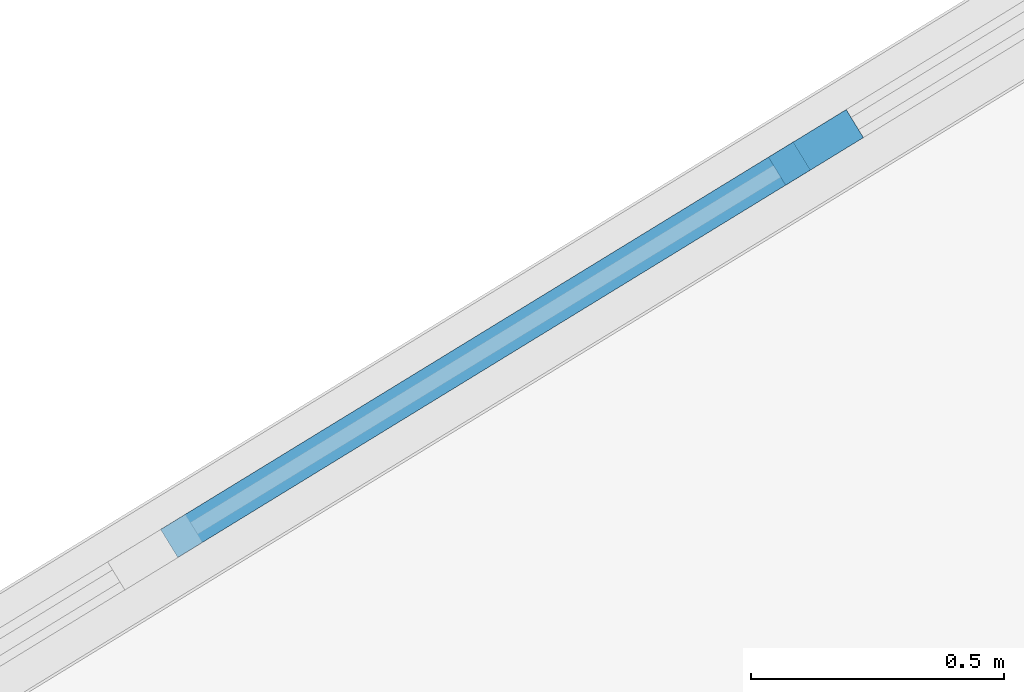
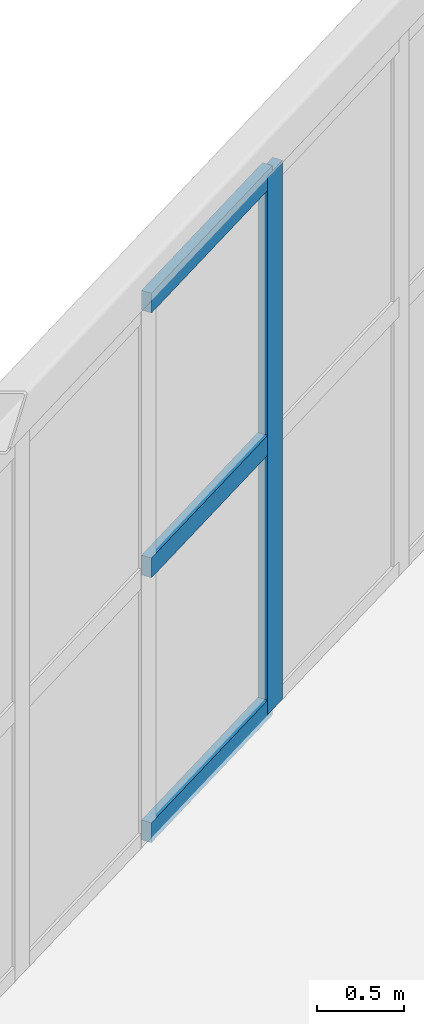
# One storey, part 60 of 161: 4 members, 1 element without a shape of its own.
"""IFC4 building model written with IfcOpenShell, lengths in metres."""

from ifc_helpers import new_model, si_unit, direction, frame, origin, origin_2d, place, context, subcontext, project, spatial, rectangle, extrude, material, material_profile, profile_set, type_object, element, aggregate, save


model = new_model("IFC4")

# Units and contexts
model_context = context("Model", 3, precision=1e-05, world=origin(), true_north=direction((0.0, 1.0)))
body_context = subcontext(model_context, "Body", "Model", "MODEL_VIEW")
ifc_project = project(units=[si_unit("LENGTHUNIT", "METRE"), si_unit("AREAUNIT", "SQUARE_METRE"), si_unit("VOLUMEUNIT", "CUBIC_METRE"), si_unit("PLANEANGLEUNIT", "RADIAN"), si_unit("MASSUNIT", "GRAM", prefix="KILO")], contexts=[model_context])

# Site, building, storey
site_placement = place(None, origin())
site = spatial("IfcSite", under=ifc_project, at=site_placement, CompositionType="ELEMENT")
building_placement = place(site_placement, origin())
building = spatial("IfcBuilding", under=site, at=building_placement, Name="Kildeholm Park Wholesale Market", CompositionType="ELEMENT")
storey_placement = place(building_placement, frame((0.0, 0.0, 5.39990234375)))
storey = spatial("IfcBuildingStorey", under=building, at=storey_placement, Name="L01", CompositionType="ELEMENT", Elevation=5.39990234375)

# Curtain wall, members
ifc_material_1 = material(Name="Anodised aluminium and low-E double-glazed glass", Category="aluminium")
curtain_wall_type = type_object("IfcCurtainWallType", Name="Market hall glazed arcade stick curtain wall CW-01", PredefinedType="NOTDEFINED", material=ifc_material_1)
curtain_wall_placement = place(storey_placement, origin())
curtain_wall = element("IfcCurtainWall", 1, at=curtain_wall_placement, inside=storey, type_object=curtain_wall_type, Name="Curtain wall CW-V1-OT-08-1 CW-0039", PredefinedType="NOTDEFINED")
ifc_material_2 = material(Name="Anodised aluminium", Category="aluminium")
ifc_material_profile_1 = material_profile(ifc_material_2, rectangle(XDim=0.06494140625, YDim=0.179931640625, at=origin_2d()), Name="CWM 65x180")
ifc_profile_set_1 = profile_set([ifc_material_profile_1], Name="Anodised aluminium")
member_type_1 = type_object("IfcMemberType", Name="Curtain-wall mullion CWM-1 CWM 65x180", PredefinedType="MULLION", material=ifc_profile_set_1)
member_1_placement = place(storey_placement, frame((63.94189453125, 124.89306640625, 0.0), z_axis=(0.0, 0.0, 1.0), x_axis=(0.522284342695, -0.852771402766, 0.0)))
member_1 = element("IfcMember", 2, at=member_1_placement, type_object=member_type_1, Name="CW-01 mullion 6 MEM-1477", PredefinedType="MULLION", context=body_context, shape_type="SweptSolid", body=[
    extrude(rectangle(XDim=0.06494140625, YDim=0.179931640625, at=origin_2d()), origin(), (0.0, 0.0, 1.0), 3.800048828125),
])
ifc_material_profile_2 = material_profile(ifc_material_2, rectangle(XDim=0.06494140625, YDim=0.139892578125, at=origin_2d()), Name="CWT 65x140")
ifc_profile_set_2 = profile_set([ifc_material_profile_2], Name="Anodised aluminium")
member_type_2 = type_object("IfcMemberType", Name="Curtain-wall transom CWT-1 CWT 65x140", PredefinedType="USERDEFINED", material=ifc_profile_set_2)
member_2_placement = place(storey_placement, frame((63.9140625, 124.876220703125, 0.03271484375), z_axis=(-0.852749773826, -0.522319656187, 0.0), x_axis=(0.522319656187, -0.852749773826, 0.0)))
member_2 = element("IfcMember", 3, at=member_2_placement, type_object=member_type_2, Name="CW-01 transom 6.1 MEM-1497", ObjectType="TRANSOM", PredefinedType="USERDEFINED", context=body_context, shape_type="SweptSolid", body=[
    extrude(rectangle(XDim=0.06494140625, YDim=0.139892578125, at=origin_2d()), origin(), (0.0, 0.0, 1.0), 1.46435546875),
])
member_3_placement = place(storey_placement, frame((63.9140625, 124.876220703125, 1.900146484375), z_axis=(-0.852749773826, -0.522319656187, 0.0), x_axis=(0.522319656187, -0.852749773826, 0.0)))
member_3 = element("IfcMember", 4, at=member_3_placement, type_object=member_type_2, Name="CW-01 transom 6.2 MEM-1498", ObjectType="TRANSOM", PredefinedType="USERDEFINED", context=body_context, shape_type="SweptSolid", body=[
    extrude(rectangle(XDim=0.06494140625, YDim=0.139892578125, at=origin_2d()), origin(), (0.0, 0.0, 1.0), 1.46435546875),
])
member_4_placement = place(storey_placement, frame((63.9140625, 124.876220703125, 3.767578125), z_axis=(-0.852749773826, -0.522319656187, 0.0), x_axis=(0.522319656187, -0.852749773826, 0.0)))
member_4 = element("IfcMember", 5, at=member_4_placement, type_object=member_type_2, Name="CW-01 transom 6.3 MEM-1499", ObjectType="TRANSOM", PredefinedType="USERDEFINED", context=body_context, shape_type="SweptSolid", body=[
    extrude(rectangle(XDim=0.06494140625, YDim=0.139892578125, at=origin_2d()), origin(), (0.0, 0.0, 1.0), 1.46435546875),
])
aggregate(curtain_wall, [member_1, member_2, member_3, member_4])

save(model, "model.ifc")
